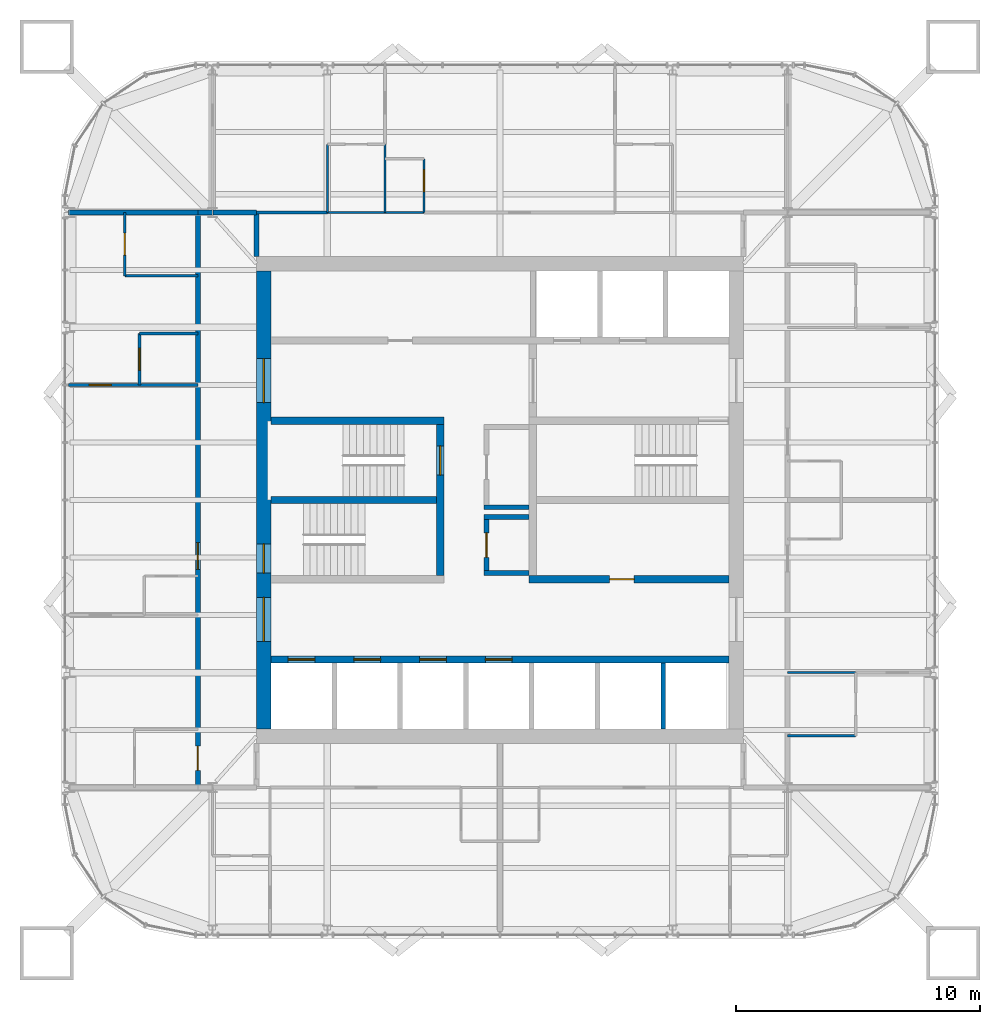
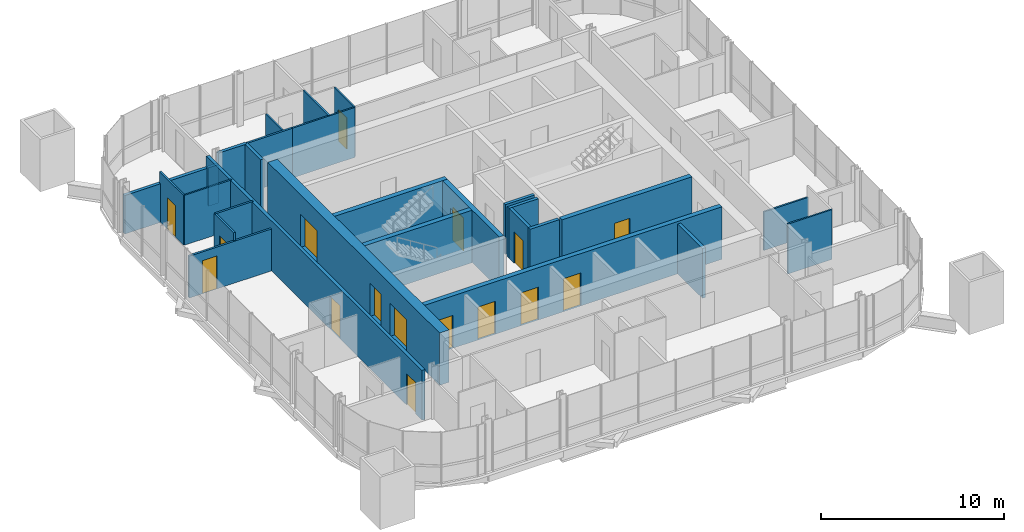
# One storey, part 14 of 17: 28 walls, 16 doors, 16 openings.
"""IFC4 building model written with IfcOpenShell, lengths in metres."""

import ifcopenshell
import ifcopenshell.guid

model = None  # the IFC model being written
_history = None  # IfcOwnerHistory: only IFC2X3 demands one
_inside = {}  # id of a spatial element -> (the spatial element, [elements in it])
_under = {}  # id of a project, library or spatial element -> (it, [spatial elements below it])
_declared = {}  # id of a project -> (the project, [libraries it declares])
_typed = {}  # id of a type object -> (the type object, [elements of that type])
_made_of = {}  # id of a material, layer set ... -> (it, [elements and type objects made of it])


def new_model(schema):
    """Start an empty IFC model of exactly this schema.

    Asked for "IFC4X3", IfcOpenShell would pick the latest addendum, in which some entities
    have other attributes; the version numbers below select the first issue.
    IFC2X3 requires an IfcOwnerHistory on every rooted entity: one is made here for all.
    """
    global model, _history
    if schema == "IFC4X3":
        model = ifcopenshell.file(schema_version=(4, 3, 0, 0))
    else:
        model = ifcopenshell.file(schema=schema)
    _inside.clear()
    _under.clear()
    _declared.clear()
    _typed.clear()
    _made_of.clear()
    _history = None
    if model.schema == "IFC2X3":
        org = make("IfcOrganization", Name="unknown")
        user = make(
            "IfcPersonAndOrganization",
            ThePerson=make("IfcPerson", FamilyName="unknown"),
            TheOrganization=org,
        )
        app = make(
            "IfcApplication",
            ApplicationDeveloper=org,
            Version="unknown",
            ApplicationFullName="unknown",
            ApplicationIdentifier="unknown",
        )
        _history = make(
            "IfcOwnerHistory",
            OwningUser=user,
            OwningApplication=app,
            ChangeAction="ADDED",
            CreationDate=0,
        )
    return model


def make(cls, **values):
    """One entity of the class cls with the attributes given. An attribute that is None is left unset."""
    return model.create_entity(
        cls, **{name: value for name, value in values.items() if value is not None}
    )


def rooted(cls, **values):
    """An entity with a GlobalId (a new one), such as an element, a storey or a relation."""
    return make(cls, GlobalId=ifcopenshell.guid.new(), OwnerHistory=_history, **values)


def si_unit(unit_type, name, prefix=None):
    """IfcSIUnit, for example si_unit("LENGTHUNIT", "METRE", prefix="MILLI")."""
    return make("IfcSIUnit", UnitType=unit_type, Prefix=prefix, Name=name)


def assignment(units):
    """IfcUnitAssignment: the units of a project."""
    return None if units is None else make("IfcUnitAssignment", Units=units)


def point(xyz):
    """IfcCartesianPoint."""
    return None if xyz is None else make("IfcCartesianPoint", Coordinates=xyz)


def direction(xyz):
    """IfcDirection."""
    return None if xyz is None else make("IfcDirection", DirectionRatios=xyz)


def frame(location, z_axis=None, x_axis=None):
    """IfcAxis2Placement3D, a coordinate frame: its origin and axes. An axis left out is left unset."""
    return make(
        "IfcAxis2Placement3D",
        Location=point(location),
        Axis=direction(z_axis),
        RefDirection=direction(x_axis),
    )


def frame_2d(location, x_axis=None):
    """IfcAxis2Placement2D, a coordinate frame in the plane: its origin and x axis."""
    return make(
        "IfcAxis2Placement2D", Location=point(location), RefDirection=direction(x_axis)
    )


def origin():
    """The frame at (0, 0, 0) with its axes left unset."""
    return frame((0.0, 0.0, 0.0))


def place(relative_to, where):
    """IfcLocalPlacement: puts the frame where relative to a parent placement (None: the world)."""
    return make(
        "IfcLocalPlacement", PlacementRelTo=relative_to, RelativePlacement=where
    )


def context(
    kind, dimensions, precision=None, world=None, true_north=None, identifier=None
):
    """IfcGeometricRepresentationContext, for example the 3D "Model" context."""
    return make(
        "IfcGeometricRepresentationContext",
        ContextIdentifier=identifier,
        ContextType=kind,
        CoordinateSpaceDimension=dimensions,
        Precision=precision,
        WorldCoordinateSystem=world,
        TrueNorth=true_north,
    )


def subcontext(parent, identifier, kind, view, scale=None):
    """IfcGeometricRepresentationSubContext, for example "Body" below "Model"."""
    return make(
        "IfcGeometricRepresentationSubContext",
        ContextIdentifier=identifier,
        ContextType=kind,
        ParentContext=parent,
        TargetScale=scale,
        TargetView=view,
    )


def project(units=None, contexts=None):
    """IfcProject with its units and contexts."""
    return rooted(
        "IfcProject",
        Name="project",
        RepresentationContexts=contexts,
        UnitsInContext=assignment(units),
    )


def spatial(cls, under=None, at=None, **own):
    """A site, building, storey or space (cls), placed at a placement, below another one or the project."""
    s = rooted(cls, ObjectPlacement=at, **own)
    if under is not None:
        _under.setdefault(under.id(), (under, []))[1].append(s)
    return s


def profile(cls, at=None, kind="AREA", **sizes):
    """A parametric profile (cls). Its sizes go by their IFC names, for example OverallWidth=200.0."""
    return make(cls, ProfileType=kind, Position=at, **sizes)


def rectangle(**sizes):
    """IfcRectangleProfileDef."""
    return profile("IfcRectangleProfileDef", **sizes)


def extrude(swept, where, along, depth):
    """IfcExtrudedAreaSolid: the profile swept, set in the frame where, extruded along a direction by depth."""
    return make(
        "IfcExtrudedAreaSolid",
        SweptArea=swept,
        Position=where,
        ExtrudedDirection=direction(along),
        Depth=depth,
    )


def shape(context_of_items, identifier, shape_type, items):
    """IfcShapeRepresentation: the items that make up one representation, for example the "Body"."""
    return make(
        "IfcShapeRepresentation",
        ContextOfItems=context_of_items,
        RepresentationIdentifier=identifier,
        RepresentationType=shape_type,
        Items=items,
    )


def material(Name=None, Category=None):
    """IfcMaterial."""
    return make("IfcMaterial", Name=Name, Category=Category)


def layer(
    of_material, thickness, ventilated=None, Name=None, Category=None, Priority=None
):
    """IfcMaterialLayer: one layer of a wall or slab, of a material (None: an air gap)."""
    return make(
        "IfcMaterialLayer",
        Material=of_material,
        LayerThickness=thickness,
        IsVentilated=ventilated,
        Name=Name,
        Category=Category,
        Priority=Priority,
    )


def layer_set(layers, Name=None):
    """IfcMaterialLayerSet."""
    return make("IfcMaterialLayerSet", MaterialLayers=layers, LayerSetName=Name)


def made_of(thing, what):
    """Note that an element or type object is made of a material, layer set ...; save() writes the relation."""
    if what is not None:
        _made_of.setdefault(what.id(), (what, []))[1].append(thing)
    return thing


def type_object(cls, material=None, **own):
    """A type object (cls), such as IfcWallType, which elements share."""
    return made_of(rooted(cls, **own), material)


def element(
    cls,
    number,
    at=None,
    inside=None,
    cuts=None,
    type_object=None,
    material=None,
    context=None,
    identifier="Body",
    shape_type=None,
    held_by="IfcProductDefinitionShape",
    body=None,
    shapes=None,
    **own,
):
    """One element of the class cls, such as IfcWall. Its Tag is "e" and its number.

    at: its placement. inside: the storey or other place that contains it. cuts: it is an
    opening in that element (IfcRelVoidsElement). A single representation is given by context,
    identifier, shape_type and body (its items); several are given by shapes. held_by: the class
    of the entity that holds the representations. save() writes the other relations.
    """
    e = rooted(cls, Tag="e%d" % number, ObjectPlacement=at, **own)
    if body is not None:
        shapes = [shape(context, identifier, shape_type, body)]
    if shapes is not None:
        e.Representation = make(held_by, Representations=shapes)
    if inside is not None:
        _inside.setdefault(inside.id(), (inside, []))[1].append(e)
    if cuts is not None:
        rooted(
            "IfcRelVoidsElement", RelatingBuildingElement=cuts, RelatedOpeningElement=e
        )
    if type_object is not None:
        _typed.setdefault(type_object.id(), (type_object, []))[1].append(e)
    return made_of(e, material)


def fill(opening, filler):
    """IfcRelFillsElement: the door or window that sits in an opening."""
    return rooted(
        "IfcRelFillsElement",
        RelatingOpeningElement=opening,
        RelatedBuildingElement=filler,
    )


def aggregate(whole, parts):
    """IfcRelAggregates: a whole, such as a stair, and the parts it consists of."""
    return rooted("IfcRelAggregates", RelatingObject=whole, RelatedObjects=parts)


def save(model, path):
    """Write the relations noted so far, then the file.

    IfcRelAggregates (storeys below a building ...), IfcRelContainedInSpatialStructure (elements
    in a storey), IfcRelDefinesByType, IfcRelAssociatesMaterial and IfcRelDeclares: one each for
    every whole, place, type object, material and project.
    """
    for whole, parts in _under.values():
        aggregate(whole, parts)
    for where, things in _inside.values():
        rooted(
            "IfcRelContainedInSpatialStructure",
            RelatedElements=things,
            RelatingStructure=where,
        )
    for kind, things in _typed.values():
        rooted("IfcRelDefinesByType", RelatedObjects=things, RelatingType=kind)
    for what, things in _made_of.values():
        rooted("IfcRelAssociatesMaterial", RelatedObjects=things, RelatingMaterial=what)
    for by, libraries in _declared.values():
        rooted("IfcRelDeclares", RelatingContext=by, RelatedDefinitions=libraries)
    model.write(path)


model = new_model("IFC4")

# Units and contexts
model_context = context("Model", 3, precision=1e-05, world=origin(), true_north=direction((0.0, 1.0)))
body_context = subcontext(model_context, "Body", "Model", "MODEL_VIEW")
ifc_project = project(units=[si_unit("LENGTHUNIT", "METRE"), si_unit("AREAUNIT", "SQUARE_METRE"), si_unit("VOLUMEUNIT", "CUBIC_METRE"), si_unit("PLANEANGLEUNIT", "RADIAN"), si_unit("MASSUNIT", "GRAM", prefix="KILO")], contexts=[model_context])

# Site, building, storey
site_placement = place(None, origin())
site = spatial("IfcSite", under=ifc_project, at=site_placement, CompositionType="ELEMENT")
building_placement = place(site_placement, origin())
building = spatial("IfcBuilding", under=site, at=building_placement, Name="Turquesa Mirador Hotel Tower", CompositionType="ELEMENT")
storey_placement = place(building_placement, frame((0.0, 0.0, 244.199951171875)))
storey = spatial("IfcBuildingStorey", under=building, at=storey_placement, Name="L66", CompositionType="ELEMENT", Elevation=244.199951171875)

# Walls
ifc_material_1 = material(Name="Gypsum board on steel studs", Category="steel")
ifc_layer_1 = layer(ifc_material_1, 0.10009765625)
ifc_layer_set_1 = layer_set([ifc_layer_1], Name="BATHROOM WALL 100")
wall_type_1 = type_object("IfcWallType", Name="BATHROOM WALL 100", PredefinedType="PARTITIONING", material=ifc_layer_set_1)
wall_1_placement = place(storey_placement, frame((66.800048828125, 37.919921875, 0.0), z_axis=(0.0, 0.0, 1.0), x_axis=(1.0, 0.0, 0.0)))
element("IfcWall", 1, at=wall_1_placement, inside=storey, type_object=wall_type_1, Name="Partition L66 017", PredefinedType="PARTITIONING", context=body_context, shape_type="SweptSolid", body=[
    extrude(rectangle(XDim=2.800048828125, YDim=0.10009765625, at=frame_2d((1.39990234375, 0.0))), origin(), (0.0, 0.0, 1.0), 2.5732421875),
])
wall_2_placement = place(storey_placement, frame((66.800048828125, 35.320068359375, 0.0), z_axis=(0.0, 0.0, 1.0), x_axis=(1.0, 0.0, 0.0)))
element("IfcWall", 2, at=wall_2_placement, inside=storey, type_object=wall_type_1, Name="Partition L66 020", PredefinedType="PARTITIONING", context=body_context, shape_type="SweptSolid", body=[
    extrude(rectangle(XDim=2.800048828125, YDim=0.10009765625, at=frame_2d((1.39990234375, 0.0))), origin(), (0.0, 0.0, 1.0), 3.330078125),
])
wall_3_placement = place(storey_placement, frame((47.919921875, 56.800048828125, 0.0), z_axis=(0.0, 0.0, 1.0), x_axis=(1.0, 0.0, 0.0)))
element("IfcWall", 3, at=wall_3_placement, inside=storey, type_object=wall_type_1, Name="Partition L66 023", PredefinedType="PARTITIONING", context=body_context, shape_type="SweptSolid", body=[
    extrude(rectangle(XDim=3.9599609375, YDim=0.10009765625, at=frame_2d((1.97998046875, 0.0))), origin(), (0.0, 0.0, 1.0), 3.330078125),
])
wall_4_placement = place(storey_placement, frame((39.60009765625, 54.199951171875, 0.0), z_axis=(0.0, 0.0, 1.0), x_axis=(1.0, 0.0, 0.0)))
element("IfcWall", 4, at=wall_4_placement, inside=storey, type_object=wall_type_1, Name="Partition L66 039", PredefinedType="PARTITIONING", context=body_context, shape_type="SweptSolid", body=[
    extrude(rectangle(XDim=3.0, YDim=0.10009765625, at=frame_2d((1.5, 0.0))), origin(), (0.0, 0.0, 1.0), 3.330078125),
])

# Wall, opening, door
wall_5_placement = place(storey_placement, frame((39.60009765625, 54.199951171875, 0.0), z_axis=(0.0, 0.0, 1.0), x_axis=(0.0, 1.0, 0.0)))
wall_5 = element("IfcWall", 5, at=wall_5_placement, inside=storey, type_object=wall_type_1, Name="Partition L66 050", PredefinedType="PARTITIONING", context=body_context, shape_type="SweptSolid", body=[
    extrude(rectangle(XDim=2.60009765625, YDim=0.10009765625, at=frame_2d((1.300048828125, 0.0))), origin(), (0.0, 0.0, 1.0), 3.330078125),
])
opening_1_placement = place(wall_5_placement, frame((0.85009765625, 0.0, 0.0)))
opening_1 = element("IfcOpeningElement", 6, at=opening_1_placement, cuts=wall_5, Name="Opening D02", PredefinedType="OPENING", context=body_context, shape_type="SweptSolid", body=[
    extrude(rectangle(XDim=0.89990234375, YDim=2.10009765625, at=frame_2d((0.449951171875, 1.050048828125))), frame((0.0, 0.06005859375, 0.0), z_axis=(0.0, -1.0, 0.0), x_axis=(1.0, 0.0, 0.0)), (0.0, 0.0, 1.0), 0.1201171875),
])
ifc_material_2 = material(Name="Timber veneered door", Category="wood")
door_type_1 = type_object("IfcDoorType", Name="DOOR 900X2100 EN-SUITE", OperationType="SINGLE_SWING_RIGHT", PredefinedType="DOOR", material=ifc_material_2)
door_1_placement = place(opening_1_placement, origin())
door_1 = element("IfcDoor", 7, at=door_1_placement, inside=storey, type_object=door_type_1, Name="Door 6606B", OperationType="SINGLE_SWING_RIGHT", OverallHeight=2.10009765625, OverallWidth=0.89990234375, PredefinedType="DOOR", context=body_context, shape_type="SweptSolid", body=[
    extrude(rectangle(XDim=0.89990234375, YDim=2.10009765625, at=frame_2d((0.449951171875, 1.050048828125))), frame((0.0, 0.02490234375, 0.0), z_axis=(0.0, -1.0, 0.0), x_axis=(1.0, 0.0, 0.0)), (0.0, 0.0, 1.0), 0.050048828125),
])
fill(opening_1, door_1)

wall_6_placement = place(storey_placement, frame((51.8798828125, 56.800048828125, 0.0), z_axis=(0.0, 0.0, 1.0), x_axis=(0.0, 1.0, 0.0)))
wall_6 = element("IfcWall", 8, at=wall_6_placement, inside=storey, type_object=wall_type_1, Name="Partition L66 051", PredefinedType="PARTITIONING", context=body_context, shape_type="SweptSolid", body=[
    extrude(rectangle(XDim=2.199951171875, YDim=0.10009765625, at=frame_2d((1.10009765625, 0.0))), origin(), (0.0, 0.0, 1.0), 3.330078125),
])
opening_2_placement = place(wall_6_placement, frame((0.85009765625, 0.0, 0.0)))
opening_2 = element("IfcOpeningElement", 9, at=opening_2_placement, cuts=wall_6, Name="Opening D06", PredefinedType="OPENING", context=body_context, shape_type="SweptSolid", body=[
    extrude(rectangle(XDim=0.89990234375, YDim=2.10009765625, at=frame_2d((0.449951171875, 1.050048828125))), frame((0.0, 0.06005859375, 0.0), z_axis=(0.0, -1.0, 0.0), x_axis=(1.0, 0.0, 0.0)), (0.0, 0.0, 1.0), 0.1201171875),
])
ifc_material_3 = material(Name="Laminate door", Category="wood")
door_type_2 = type_object("IfcDoorType", Name="DOOR 900X2100 WC", OperationType="SINGLE_SWING_LEFT", PredefinedType="DOOR", material=ifc_material_3)
door_2_placement = place(opening_2_placement, origin())
door_2 = element("IfcDoor", 10, at=door_2_placement, inside=storey, type_object=door_type_2, Name="Door 6601W", OperationType="SINGLE_SWING_LEFT", OverallHeight=2.10009765625, OverallWidth=0.89990234375, PredefinedType="DOOR", context=body_context, shape_type="SweptSolid", body=[
    extrude(rectangle(XDim=0.89990234375, YDim=2.10009765625, at=frame_2d((0.449951171875, 1.050048828125))), frame((0.0, 0.02490234375, 0.0), z_axis=(0.0, -1.0, 0.0), x_axis=(1.0, 0.0, 0.0)), (0.0, 0.0, 1.0), 0.050048828125),
])
fill(opening_2, door_2)

# Walls
wall_7_placement = place(storey_placement, frame((50.280029296875, 56.800048828125, 0.0), z_axis=(0.0, 0.0, 1.0), x_axis=(0.0, 1.0, 0.0)))
element("IfcWall", 11, at=wall_7_placement, inside=storey, type_object=wall_type_1, Name="Partition L66 052", PredefinedType="PARTITIONING", context=body_context, shape_type="SweptSolid", body=[
    extrude(rectangle(XDim=2.800048828125, YDim=0.10009765625, at=frame_2d((1.39990234375, 0.0))), origin(), (0.0, 0.0, 1.0), 3.330078125),
])
wall_8_placement = place(storey_placement, frame((47.919921875, 56.800048828125, 0.0), z_axis=(0.0, 0.0, 1.0), x_axis=(0.0, 1.0, 0.0)))
element("IfcWall", 12, at=wall_8_placement, inside=storey, type_object=wall_type_1, Name="Partition L66 054", PredefinedType="PARTITIONING", context=body_context, shape_type="SweptSolid", body=[
    extrude(rectangle(XDim=2.800048828125, YDim=0.10009765625, at=frame_2d((1.39990234375, 0.0))), origin(), (0.0, 0.0, 1.0), 2.5732421875),
])

# Wall, openings, doors
ifc_material_4 = material(Name="Concrete C50/60", Category="concrete")
ifc_layer_2 = layer(ifc_material_4, 0.300048828125)
ifc_layer_set_2 = layer_set([ifc_layer_2], Name="CORE INNER WALL 300")
wall_type_2 = type_object("IfcWallType", Name="CORE INNER WALL 300", PredefinedType="SHEAR", material=ifc_layer_set_2)
wall_9_placement = place(storey_placement, frame((45.60009765625, 38.449951171875, 0.0), z_axis=(0.0, 0.0, 1.0), x_axis=(1.0, 0.0, 0.0)))
wall_9 = element("IfcWall", 13, at=wall_9_placement, inside=storey, type_object=wall_type_2, Name="Core wall SL", PredefinedType="SHEAR", context=body_context, shape_type="SweptSolid", body=[
    extrude(rectangle(XDim=18.7998046875, YDim=0.300048828125, at=frame_2d((9.39990234375, 0.0))), origin(), (0.0, 0.0, 1.0), 3.5),
])
opening_3_placement = place(wall_9_placement, frame((0.699951171875, 0.0, 0.0)))
opening_3 = element("IfcOpeningElement", 14, at=opening_3_placement, cuts=wall_9, Name="Opening LD", PredefinedType="OPENING", context=body_context, shape_type="SweptSolid", body=[
    extrude(rectangle(XDim=1.10009765625, YDim=2.199951171875, at=frame_2d((0.550048828125, 1.10009765625))), frame((0.0, 0.159912109375, 0.0), z_axis=(0.0, -1.0, 0.0), x_axis=(1.0, 0.0, 0.0)), (0.0, 0.0, 1.0), 0.320068359375),
])
opening_4_placement = place(wall_9_placement, frame((3.39990234375, 0.0, 0.0)))
opening_4 = element("IfcOpeningElement", 15, at=opening_4_placement, cuts=wall_9, Name="Opening LD", PredefinedType="OPENING", context=body_context, shape_type="SweptSolid", body=[
    extrude(rectangle(XDim=1.10009765625, YDim=2.199951171875, at=frame_2d((0.550048828125, 1.10009765625))), frame((0.0, 0.159912109375, 0.0), z_axis=(0.0, -1.0, 0.0), x_axis=(1.0, 0.0, 0.0)), (0.0, 0.0, 1.0), 0.320068359375),
])
opening_5_placement = place(wall_9_placement, frame((6.10009765625, 0.0, 0.0)))
opening_5 = element("IfcOpeningElement", 16, at=opening_5_placement, cuts=wall_9, Name="Opening LD", PredefinedType="OPENING", context=body_context, shape_type="SweptSolid", body=[
    extrude(rectangle(XDim=1.10009765625, YDim=2.199951171875, at=frame_2d((0.550048828125, 1.10009765625))), frame((0.0, 0.159912109375, 0.0), z_axis=(0.0, -1.0, 0.0), x_axis=(1.0, 0.0, 0.0)), (0.0, 0.0, 1.0), 0.320068359375),
])
opening_6_placement = place(wall_9_placement, frame((8.800048828125, 0.0, 0.0)))
opening_6 = element("IfcOpeningElement", 17, at=opening_6_placement, cuts=wall_9, Name="Opening LD", PredefinedType="OPENING", context=body_context, shape_type="SweptSolid", body=[
    extrude(rectangle(XDim=1.10009765625, YDim=2.199951171875, at=frame_2d((0.550048828125, 1.10009765625))), frame((0.0, 0.159912109375, 0.0), z_axis=(0.0, -1.0, 0.0), x_axis=(1.0, 0.0, 0.0)), (0.0, 0.0, 1.0), 0.320068359375),
])
ifc_material_5 = material(Name="Stainless steel lift landing door", Category="steel")
door_type_3 = type_object("IfcDoorType", Name="LIFT LANDING DOOR 1100X2200", OperationType="SLIDING_TO_LEFT", PredefinedType="DOOR", material=ifc_material_5)
door_3_placement = place(opening_3_placement, origin())
door_3 = element("IfcDoor", 18, at=door_3_placement, inside=storey, type_object=door_type_3, Name="Lift B1 landing door", OperationType="SLIDING_TO_LEFT", OverallHeight=2.199951171875, OverallWidth=1.10009765625, PredefinedType="DOOR", context=body_context, shape_type="SweptSolid", body=[
    extrude(rectangle(XDim=1.10009765625, YDim=2.199951171875, at=frame_2d((0.550048828125, 1.10009765625))), frame((0.0, 0.02490234375, 0.0), z_axis=(0.0, -1.0, 0.0), x_axis=(1.0, 0.0, 0.0)), (0.0, 0.0, 1.0), 0.050048828125),
])
fill(opening_3, door_3)
door_4_placement = place(opening_4_placement, origin())
door_4 = element("IfcDoor", 19, at=door_4_placement, inside=storey, type_object=door_type_3, Name="Lift B2 landing door", OperationType="SLIDING_TO_LEFT", OverallHeight=2.199951171875, OverallWidth=1.10009765625, PredefinedType="DOOR", context=body_context, shape_type="SweptSolid", body=[
    extrude(rectangle(XDim=1.10009765625, YDim=2.199951171875, at=frame_2d((0.550048828125, 1.10009765625))), frame((0.0, 0.02490234375, 0.0), z_axis=(0.0, -1.0, 0.0), x_axis=(1.0, 0.0, 0.0)), (0.0, 0.0, 1.0), 0.050048828125),
])
fill(opening_4, door_4)
door_5_placement = place(opening_5_placement, origin())
door_5 = element("IfcDoor", 20, at=door_5_placement, inside=storey, type_object=door_type_3, Name="Lift B3 landing door", OperationType="SLIDING_TO_LEFT", OverallHeight=2.199951171875, OverallWidth=1.10009765625, PredefinedType="DOOR", context=body_context, shape_type="SweptSolid", body=[
    extrude(rectangle(XDim=1.10009765625, YDim=2.199951171875, at=frame_2d((0.550048828125, 1.10009765625))), frame((0.0, 0.02490234375, 0.0), z_axis=(0.0, -1.0, 0.0), x_axis=(1.0, 0.0, 0.0)), (0.0, 0.0, 1.0), 0.050048828125),
])
fill(opening_5, door_5)
door_6_placement = place(opening_6_placement, origin())
door_6 = element("IfcDoor", 21, at=door_6_placement, inside=storey, type_object=door_type_3, Name="Lift B4 landing door", OperationType="SLIDING_TO_LEFT", OverallHeight=2.199951171875, OverallWidth=1.10009765625, PredefinedType="DOOR", context=body_context, shape_type="SweptSolid", body=[
    extrude(rectangle(XDim=1.10009765625, YDim=2.199951171875, at=frame_2d((0.550048828125, 1.10009765625))), frame((0.0, 0.02490234375, 0.0), z_axis=(0.0, -1.0, 0.0), x_axis=(1.0, 0.0, 0.0)), (0.0, 0.0, 1.0), 0.050048828125),
])
fill(opening_6, door_6)

# Wall
wall_10_placement = place(storey_placement, frame((45.60009765625, 48.25, 0.0), z_axis=(0.0, 0.0, 1.0), x_axis=(1.0, 0.0, 0.0)))
element("IfcWall", 22, at=wall_10_placement, inside=storey, type_object=wall_type_2, Name="Core wall MN-W", PredefinedType="SHEAR", context=body_context, shape_type="SweptSolid", body=[
    extrude(rectangle(XDim=7.099853515625, YDim=0.300048828125, at=frame_2d((3.5498046875, 0.0))), origin(), (0.0, 0.0, 1.0), 3.5),
])

# Wall, opening, door
wall_11_placement = place(storey_placement, frame((56.199951171875, 41.75, 0.0), z_axis=(0.0, 0.0, 1.0), x_axis=(1.0, 0.0, 0.0)))
wall_11 = element("IfcWall", 23, at=wall_11_placement, inside=storey, type_object=wall_type_2, Name="Core wall MS-E", PredefinedType="SHEAR", context=body_context, shape_type="SweptSolid", body=[
    extrude(rectangle(XDim=8.199951171875, YDim=0.300048828125, at=frame_2d((4.10009765625, 0.0))), origin(), (0.0, 0.0, 1.0), 3.5),
])
opening_7_placement = place(wall_11_placement, frame((3.300048828125, 0.0, 0.0)))
opening_7 = element("IfcOpeningElement", 24, at=opening_7_placement, cuts=wall_11, Name="Opening D05", PredefinedType="OPENING", context=body_context, shape_type="SweptSolid", body=[
    extrude(rectangle(XDim=1.0, YDim=2.10009765625, at=frame_2d((0.5, 1.050048828125))), frame((0.0, 0.159912109375, 0.0), z_axis=(0.0, -1.0, 0.0), x_axis=(1.0, 0.0, 0.0)), (0.0, 0.0, 1.0), 0.320068359375),
])
ifc_material_6 = material(Name="Steel fire door", Category="steel")
door_type_4 = type_object("IfcDoorType", Name="DOOR 1000X2100 SERVICE", OperationType="SINGLE_SWING_LEFT", PredefinedType="DOOR", material=ifc_material_6)
door_7_placement = place(opening_7_placement, origin())
door_7 = element("IfcDoor", 25, at=door_7_placement, inside=storey, type_object=door_type_4, Name="Housekeeping room door", OperationType="SINGLE_SWING_LEFT", OverallHeight=2.10009765625, OverallWidth=1.0, PredefinedType="DOOR", context=body_context, shape_type="SweptSolid", body=[
    extrude(rectangle(XDim=1.0, YDim=2.10009765625, at=frame_2d((0.5, 1.050048828125))), frame((0.0, 0.02490234375, 0.0), z_axis=(0.0, -1.0, 0.0), x_axis=(1.0, 0.0, 0.0)), (0.0, 0.0, 1.0), 0.050048828125),
])
fill(opening_7, door_7)

wall_12_placement = place(storey_placement, frame((52.550048828125, 41.89990234375, 0.0), z_axis=(0.0, 0.0, 1.0), x_axis=(0.0, 1.0, 0.0)))
wall_12 = element("IfcWall", 26, at=wall_12_placement, inside=storey, type_object=wall_type_2, Name="Core wall PW", PredefinedType="SHEAR", context=body_context, shape_type="SweptSolid", body=[
    extrude(rectangle(XDim=6.2001953125, YDim=0.300048828125, at=frame_2d((3.10009765625, 0.0))), origin(), (0.0, 0.0, 1.0), 3.5),
])
opening_8_placement = place(wall_12_placement, frame((4.125, 0.0, 0.0)))
opening_8 = element("IfcOpeningElement", 27, at=opening_8_placement, cuts=wall_12, Name="Opening D03", PredefinedType="OPENING", context=body_context, shape_type="SweptSolid", body=[
    extrude(rectangle(XDim=1.199951171875, YDim=2.199951171875, at=frame_2d((0.60009765625, 1.10009765625))), frame((0.0, 0.159912109375, 0.0), z_axis=(0.0, -1.0, 0.0), x_axis=(1.0, 0.0, 0.0)), (0.0, 0.0, 1.0), 0.320068359375),
])
ifc_material_7 = material(Name="Steel fire door", Category="steel")
door_type_5 = type_object("IfcDoorType", Name="DOOR 1200X2200 STAIR", OperationType="SINGLE_SWING_LEFT", PredefinedType="DOOR", material=ifc_material_7)
door_8_placement = place(opening_8_placement, origin())
door_8 = element("IfcDoor", 28, at=door_8_placement, inside=storey, type_object=door_type_5, Name="Stair ST1 door", OperationType="SINGLE_SWING_LEFT", OverallHeight=2.199951171875, OverallWidth=1.199951171875, PredefinedType="DOOR", context=body_context, shape_type="SweptSolid", body=[
    extrude(rectangle(XDim=1.199951171875, YDim=2.199951171875, at=frame_2d((0.60009765625, 1.10009765625))), frame((0.0, 0.02490234375, 0.0), z_axis=(0.0, -1.0, 0.0), x_axis=(1.0, 0.0, 0.0)), (0.0, 0.0, 1.0), 0.050048828125),
])
fill(opening_8, door_8)

# Wall
wall_13_placement = place(storey_placement, frame((45.60009765625, 45.0, 0.0), z_axis=(0.0, 0.0, 1.0), x_axis=(1.0, 0.0, 0.0)))
element("IfcWall", 29, at=wall_13_placement, inside=storey, type_object=wall_type_2, Name="Core wall M0-W", PredefinedType="SHEAR", context=body_context, shape_type="SweptSolid", body=[
    extrude(rectangle(XDim=6.7998046875, YDim=0.300048828125, at=frame_2d((3.39990234375, 0.0))), origin(), (0.0, 0.0, 1.0), 3.5),
])

# Wall, openings, doors
ifc_material_8 = material(Name="Concrete C50/60", Category="concrete")
ifc_layer_3 = layer(ifc_material_8, 0.60009765625)
ifc_layer_set_3 = layer_set([ifc_layer_3], Name="CORE WALL 600")
wall_type_3 = type_object("IfcWallType", Name="CORE WALL 600", PredefinedType="SHEAR", material=ifc_layer_set_3)
wall_14_placement = place(storey_placement, frame((45.300048828125, 35.60009765625, 0.0), z_axis=(0.0, 0.0, 1.0), x_axis=(0.0, 1.0, 0.0)))
wall_14 = element("IfcWall", 30, at=wall_14_placement, inside=storey, type_object=wall_type_3, Name="Core wall W", PredefinedType="SHEAR", context=body_context, shape_type="SweptSolid", body=[
    extrude(rectangle(XDim=18.7998046875, YDim=0.60009765625, at=frame_2d((9.39990234375, 0.0))), origin(), (0.0, 0.0, 1.0), 3.5),
])
opening_9_placement = place(wall_14_placement, frame((13.39990234375, 0.0, 0.0)))
opening_9 = element("IfcOpeningElement", 31, at=opening_9_placement, cuts=wall_14, Name="Opening D04", PredefinedType="OPENING", context=body_context, shape_type="SweptSolid", body=[
    extrude(rectangle(XDim=1.800048828125, YDim=2.199951171875, at=frame_2d((0.89990234375, 1.10009765625))), frame((0.0, 0.31005859375, 0.0), z_axis=(0.0, -1.0, 0.0), x_axis=(1.0, 0.0, 0.0)), (0.0, 0.0, 1.0), 0.6201171875),
])
opening_10_placement = place(wall_14_placement, frame((3.60009765625, 0.0, 0.0)))
opening_10 = element("IfcOpeningElement", 32, at=opening_10_placement, cuts=wall_14, Name="Opening D04", PredefinedType="OPENING", context=body_context, shape_type="SweptSolid", body=[
    extrude(rectangle(XDim=1.800048828125, YDim=2.199951171875, at=frame_2d((0.89990234375, 1.10009765625))), frame((0.0, 0.31005859375, 0.0), z_axis=(0.0, -1.0, 0.0), x_axis=(1.0, 0.0, 0.0)), (0.0, 0.0, 1.0), 0.6201171875),
])
opening_11_placement = place(wall_14_placement, frame((6.39990234375, 0.0, 0.0)))
opening_11 = element("IfcOpeningElement", 33, at=opening_11_placement, cuts=wall_14, Name="Opening D03", PredefinedType="OPENING", context=body_context, shape_type="SweptSolid", body=[
    extrude(rectangle(XDim=1.199951171875, YDim=2.199951171875, at=frame_2d((0.60009765625, 1.10009765625))), frame((0.0, 0.31005859375, 0.0), z_axis=(0.0, -1.0, 0.0), x_axis=(1.0, 0.0, 0.0)), (0.0, 0.0, 1.0), 0.6201171875),
])
door_9_placement = place(opening_11_placement, origin())
door_9 = element("IfcDoor", 34, at=door_9_placement, inside=storey, type_object=door_type_5, Name="Stair ST2 door", OperationType="SINGLE_SWING_LEFT", OverallHeight=2.199951171875, OverallWidth=1.199951171875, PredefinedType="DOOR", context=body_context, shape_type="SweptSolid", body=[
    extrude(rectangle(XDim=1.199951171875, YDim=2.199951171875, at=frame_2d((0.60009765625, 1.10009765625))), frame((0.0, 0.02490234375, 0.0), z_axis=(0.0, -1.0, 0.0), x_axis=(1.0, 0.0, 0.0)), (0.0, 0.0, 1.0), 0.050048828125),
])
fill(opening_11, door_9)
ifc_material_9 = material(Name="Steel fire door pair", Category="steel")
door_type_6 = type_object("IfcDoorType", Name="DOOR 1800X2200 PAIR", OperationType="DOUBLE_DOOR_SINGLE_SWING", PredefinedType="DOOR", material=ifc_material_9)
door_10_placement = place(opening_9_placement, origin())
door_10 = element("IfcDoor", 35, at=door_10_placement, inside=storey, type_object=door_type_6, Name="North lift lobby door", OperationType="DOUBLE_DOOR_SINGLE_SWING", OverallHeight=2.199951171875, OverallWidth=1.800048828125, PredefinedType="DOOR", context=body_context, shape_type="SweptSolid", body=[
    extrude(rectangle(XDim=1.800048828125, YDim=2.199951171875, at=frame_2d((0.89990234375, 1.10009765625))), frame((0.0, 0.02490234375, 0.0), z_axis=(0.0, -1.0, 0.0), x_axis=(1.0, 0.0, 0.0)), (0.0, 0.0, 1.0), 0.050048828125),
])
fill(opening_9, door_10)
door_11_placement = place(opening_10_placement, origin())
door_11 = element("IfcDoor", 36, at=door_11_placement, inside=storey, type_object=door_type_6, Name="South lift lobby door", OperationType="DOUBLE_DOOR_SINGLE_SWING", OverallHeight=2.199951171875, OverallWidth=1.800048828125, PredefinedType="DOOR", context=body_context, shape_type="SweptSolid", body=[
    extrude(rectangle(XDim=1.800048828125, YDim=2.199951171875, at=frame_2d((0.89990234375, 1.10009765625))), frame((0.0, 0.02490234375, 0.0), z_axis=(0.0, -1.0, 0.0), x_axis=(1.0, 0.0, 0.0)), (0.0, 0.0, 1.0), 0.050048828125),
])
fill(opening_10, door_11)

# Walls
ifc_material_10 = material(Name="Fire-rated gypsum board on steel studs", Category="steel")
ifc_layer_4 = layer(ifc_material_10, 0.199951171875)
ifc_layer_set_4 = layer_set([ifc_layer_4], Name="CORRIDOR WALL 200")
wall_type_4 = type_object("IfcWallType", Name="CORRIDOR WALL 200", PredefinedType="PARTITIONING", material=ifc_layer_set_4)
wall_15_placement = place(storey_placement, frame((43.219970703125, 56.800048828125, 0.0), z_axis=(0.0, 0.0, 1.0), x_axis=(1.0, 0.0, 0.0)))
element("IfcWall", 37, at=wall_15_placement, inside=storey, type_object=wall_type_4, Name="Partition L66 025", PredefinedType="PARTITIONING", context=body_context, shape_type="SweptSolid", body=[
    extrude(rectangle(XDim=1.780029296875, YDim=0.199951171875, at=frame_2d((0.89013671875, 0.0))), origin(), (0.0, 0.0, 1.0), 3.330078125),
])
wall_16_placement = place(storey_placement, frame((45.0, 55.0, 0.0), z_axis=(0.0, 0.0, 1.0), x_axis=(0.0, 1.0, 0.0)))
element("IfcWall", 38, at=wall_16_placement, inside=storey, type_object=wall_type_4, Name="Partition L66 043", PredefinedType="PARTITIONING", context=body_context, shape_type="SweptSolid", body=[
    extrude(rectangle(XDim=1.800048828125, YDim=0.199951171875, at=frame_2d((0.89990234375, 0.0))), origin(), (0.0, 0.0, 1.0), 3.330078125),
])

# Wall, openings, doors
wall_17_placement = place(storey_placement, frame((42.60009765625, 33.199951171875, 0.0), z_axis=(0.0, 0.0, 1.0), x_axis=(0.0, 1.0, 0.0)))
wall_17 = element("IfcWall", 39, at=wall_17_placement, inside=storey, type_object=wall_type_4, Name="Partition L66 046", PredefinedType="PARTITIONING", context=body_context, shape_type="SweptSolid", body=[
    extrude(rectangle(XDim=23.60009765625, YDim=0.199951171875, at=frame_2d((11.800048828125, 0.0))), origin(), (0.0, 0.0, 1.0), 3.330078125),
])
opening_12_placement = place(wall_17_placement, frame((8.949951171875, 0.0, 0.0)))
opening_12 = element("IfcOpeningElement", 40, at=opening_12_placement, cuts=wall_17, Name="Opening D15", PredefinedType="OPENING", context=body_context, shape_type="SweptSolid", body=[
    extrude(rectangle(XDim=1.10009765625, YDim=2.199951171875, at=frame_2d((0.550048828125, 1.10009765625))), frame((0.0, 0.10986328125, 0.0), z_axis=(0.0, -1.0, 0.0), x_axis=(1.0, 0.0, 0.0)), (0.0, 0.0, 1.0), 0.219970703125),
])
opening_13_placement = place(wall_17_placement, frame((0.699951171875, 0.0, 0.0)))
opening_13 = element("IfcOpeningElement", 41, at=opening_13_placement, cuts=wall_17, Name="Opening D05", PredefinedType="OPENING", context=body_context, shape_type="SweptSolid", body=[
    extrude(rectangle(XDim=1.0, YDim=2.10009765625, at=frame_2d((0.5, 1.050048828125))), frame((0.0, 0.10986328125, 0.0), z_axis=(0.0, -1.0, 0.0), x_axis=(1.0, 0.0, 0.0)), (0.0, 0.0, 1.0), 0.219970703125),
])
door_12_placement = place(opening_13_placement, origin())
door_12 = element("IfcDoor", 42, at=door_12_placement, inside=storey, type_object=door_type_4, Name="Door 6606P-1", OperationType="SINGLE_SWING_LEFT", OverallHeight=2.10009765625, OverallWidth=1.0, PredefinedType="DOOR", context=body_context, shape_type="SweptSolid", body=[
    extrude(rectangle(XDim=1.0, YDim=2.10009765625, at=frame_2d((0.5, 1.050048828125))), frame((0.0, 0.02490234375, 0.0), z_axis=(0.0, -1.0, 0.0), x_axis=(1.0, 0.0, 0.0)), (0.0, 0.0, 1.0), 0.050048828125),
])
fill(opening_13, door_12)
ifc_material_11 = material(Name="Timber veneered fire door", Category="wood")
door_type_7 = type_object("IfcDoorType", Name="DOOR 1100X2200 SUITE ENTRY", OperationType="SINGLE_SWING_LEFT", PredefinedType="DOOR", material=ifc_material_11)
door_13_placement = place(opening_12_placement, origin())
door_13 = element("IfcDoor", 43, at=door_13_placement, inside=storey, type_object=door_type_7, Name="Door 6606", OperationType="SINGLE_SWING_LEFT", OverallHeight=2.199951171875, OverallWidth=1.10009765625, PredefinedType="DOOR", context=body_context, shape_type="SweptSolid", body=[
    extrude(rectangle(XDim=1.10009765625, YDim=2.199951171875, at=frame_2d((0.550048828125, 1.10009765625))), frame((0.0, 0.02490234375, 0.0), z_axis=(0.0, -1.0, 0.0), x_axis=(1.0, 0.0, 0.0)), (0.0, 0.0, 1.0), 0.050048828125),
])
fill(opening_12, door_13)

# Wall
wall_18_placement = place(storey_placement, frame((42.60009765625, 56.800048828125, 0.0), z_axis=(0.0, 0.0, 1.0), x_axis=(1.0, 0.0, 0.0)))
element("IfcWall", 44, at=wall_18_placement, inside=storey, type_object=wall_type_4, Name="Partition L66 073", PredefinedType="PARTITIONING", context=body_context, shape_type="SweptSolid", body=[
    extrude(rectangle(XDim=0.619873046875, YDim=0.199951171875, at=frame_2d((0.31005859375, 0.0))), origin(), (0.0, 0.0, 1.0), 2.5732421875),
])

# Wall, opening, door
ifc_material_12 = material(Name="Fire-rated gypsum board on steel studs", Category="steel")
ifc_layer_5 = layer(ifc_material_12, 0.199951171875)
ifc_layer_set_5 = layer_set([ifc_layer_5], Name="FIRE PARTITION 200")
wall_type_5 = type_object("IfcWallType", Name="FIRE PARTITION 200", PredefinedType="PARTITIONING", material=ifc_layer_set_5)
wall_19_placement = place(storey_placement, frame((54.449951171875, 42.0, 0.0), z_axis=(0.0, 0.0, 1.0), x_axis=(0.0, 1.0, 0.0)))
wall_19 = element("IfcWall", 45, at=wall_19_placement, inside=storey, type_object=wall_type_5, Name="Partition L66 BO W", PredefinedType="PARTITIONING", context=body_context, shape_type="SweptSolid", body=[
    extrude(rectangle(XDim=2.300048828125, YDim=0.199951171875, at=frame_2d((1.14990234375, 0.0))), origin(), (0.0, 0.0, 1.0), 3.330078125),
])
opening_14_placement = place(wall_19_placement, frame((0.64990234375, 0.0, 0.0)))
opening_14 = element("IfcOpeningElement", 46, at=opening_14_placement, cuts=wall_19, Name="Opening D05", PredefinedType="OPENING", context=body_context, shape_type="SweptSolid", body=[
    extrude(rectangle(XDim=1.0, YDim=2.10009765625, at=frame_2d((0.5, 1.050048828125))), frame((0.0, 0.10986328125, 0.0), z_axis=(0.0, -1.0, 0.0), x_axis=(1.0, 0.0, 0.0)), (0.0, 0.0, 1.0), 0.219970703125),
])
door_14_placement = place(opening_14_placement, origin())
door_14 = element("IfcDoor", 47, at=door_14_placement, inside=storey, type_object=door_type_4, Name="Butler's pantry door", OperationType="SINGLE_SWING_LEFT", OverallHeight=2.10009765625, OverallWidth=1.0, PredefinedType="DOOR", context=body_context, shape_type="SweptSolid", body=[
    extrude(rectangle(XDim=1.0, YDim=2.10009765625, at=frame_2d((0.5, 1.050048828125))), frame((0.0, 0.02490234375, 0.0), z_axis=(0.0, -1.0, 0.0), x_axis=(1.0, 0.0, 0.0)), (0.0, 0.0, 1.0), 0.050048828125),
])
fill(opening_14, door_14)

# Walls
for number, where, z_axis, x_axis, name in (
    (48, (54.35009765625, 42.0, 0.0), (0.0, 0.0, 1.0), (1.0, 0.0, 0.0), "Partition L66 BO S"),
    (49, (54.35009765625, 44.300048828125, 0.0), (0.0, 0.0, 1.0), (1.0, 0.0, 0.0), "Partition L66 BO N"),
    (50, (54.35009765625, 44.699951171875, 0.0), (0.0, 0.0, 1.0), (1.0, 0.0, 0.0), "Partition L66 VR S"),
):
    element("IfcWall", number, at=place(storey_placement, frame(where, z_axis=z_axis, x_axis=x_axis)), inside=storey, type_object=wall_type_5, Name=name, PredefinedType="PARTITIONING", context=body_context, shape_type="SweptSolid", body=[
        extrude(rectangle(XDim=1.849853515625, YDim=0.199951171875, at=frame_2d((0.9248046875, 0.0))), origin(), (0.0, 0.0, 1.0), 3.330078125),
    ])
ifc_material_13 = material(Name="Fire-rated gypsum shaft wall on steel studs", Category="steel")
ifc_layer_6 = layer(ifc_material_13, 0.199951171875)
ifc_layer_set_6 = layer_set([ifc_layer_6], Name="LIFT SHAFT DIVIDER 200")
wall_type_6 = type_object("IfcWallType", Name="LIFT SHAFT DIVIDER 200", PredefinedType="PARTITIONING", material=ifc_layer_set_6)
wall_20_placement = place(storey_placement, frame((61.699951171875, 35.60009765625, 0.0), z_axis=(0.0, 0.0, 1.0), x_axis=(0.0, 1.0, 0.0)))
element("IfcWall", 51, at=wall_20_placement, inside=storey, type_object=wall_type_6, Name="Lift shaft divider", PredefinedType="PARTITIONING", context=body_context, shape_type="SweptSolid", body=[
    extrude(rectangle(XDim=2.699951171875, YDim=0.199951171875, at=frame_2d((1.35009765625, 0.0))), origin(), (0.0, 0.0, 1.0), 3.330078125),
])
ifc_material_14 = material(Name="Fire-rated gypsum board on steel studs", Category="steel")
ifc_layer_7 = layer(ifc_material_14, 0.199951171875)
ifc_layer_set_7 = layer_set([ifc_layer_7], Name="PARTY WALL 200")
wall_type_7 = type_object("IfcWallType", Name="PARTY WALL 200", PredefinedType="PARTITIONING", material=ifc_layer_set_7)
wall_21_placement = place(storey_placement, frame((37.300048828125, 56.800048828125, 0.0), z_axis=(0.0, 0.0, 1.0), x_axis=(1.0, 0.0, 0.0)))
element("IfcWall", 52, at=wall_21_placement, inside=storey, type_object=wall_type_7, Name="Partition L66 027", PredefinedType="PARTITIONING", context=body_context, shape_type="SweptSolid", body=[
    extrude(rectangle(XDim=5.300048828125, YDim=0.199951171875, at=frame_2d((2.64990234375, 0.0))), origin(), (0.0, 0.0, 1.0), 2.5732421875),
])
ifc_material_15 = material(Name="Acoustic gypsum board on steel studs", Category="steel")
ifc_layer_8 = layer(ifc_material_15, 0.125)
ifc_layer_set_8 = layer_set([ifc_layer_8], Name="SUITE PARTITION 125")
wall_type_8 = type_object("IfcWallType", Name="SUITE PARTITION 125", PredefinedType="PARTITIONING", material=ifc_layer_set_8)
wall_22_placement = place(storey_placement, frame((45.0, 56.800048828125, 0.0), z_axis=(0.0, 0.0, 1.0), x_axis=(1.0, 0.0, 0.0)))
element("IfcWall", 53, at=wall_22_placement, inside=storey, type_object=wall_type_8, Name="Partition L66 029", PredefinedType="PARTITIONING", context=body_context, shape_type="SweptSolid", body=[
    extrude(rectangle(XDim=2.919921875, YDim=0.125, at=frame_2d((1.4599609375, 0.0))), origin(), (0.0, 0.0, 1.0), 3.330078125),
])

# Wall, opening, door
wall_23_placement = place(storey_placement, frame((37.300048828125, 49.719970703125, 0.0), z_axis=(0.0, 0.0, 1.0), x_axis=(1.0, 0.0, 0.0)))
wall_23 = element("IfcWall", 54, at=wall_23_placement, inside=storey, type_object=wall_type_8, Name="Partition L66 035", PredefinedType="PARTITIONING", context=body_context, shape_type="SweptSolid", body=[
    extrude(rectangle(XDim=5.300048828125, YDim=0.125, at=frame_2d((2.64990234375, 0.0))), origin(), (0.0, 0.0, 1.0), 2.796630859375),
])
opening_15_placement = place(wall_23_placement, frame((0.85009765625, 0.0, 0.0)))
opening_15 = element("IfcOpeningElement", 55, at=opening_15_placement, cuts=wall_23, Name="Opening D17", PredefinedType="OPENING", context=body_context, shape_type="SweptSolid", body=[
    extrude(rectangle(XDim=0.89990234375, YDim=2.199951171875, at=frame_2d((0.449951171875, 1.10009765625))), frame((0.0, 0.072509765625, 0.0), z_axis=(0.0, -1.0, 0.0), x_axis=(1.0, 0.0, 0.0)), (0.0, 0.0, 1.0), 0.14501953125),
])
ifc_material_16 = material(Name="Timber veneered door", Category="wood")
door_type_8 = type_object("IfcDoorType", Name="DOOR 900X2200 SUITE INTERNAL", OperationType="SINGLE_SWING_LEFT", PredefinedType="DOOR", material=ifc_material_16)
door_15_placement = place(opening_15_placement, origin())
door_15 = element("IfcDoor", 56, at=door_15_placement, inside=storey, type_object=door_type_8, Name="Door 6606R", OperationType="SINGLE_SWING_LEFT", OverallHeight=2.199951171875, OverallWidth=0.89990234375, PredefinedType="DOOR", context=body_context, shape_type="SweptSolid", body=[
    extrude(rectangle(XDim=0.89990234375, YDim=2.199951171875, at=frame_2d((0.449951171875, 1.10009765625))), frame((0.0, 0.02490234375, 0.0), z_axis=(0.0, -1.0, 0.0), x_axis=(1.0, 0.0, 0.0)), (0.0, 0.0, 1.0), 0.050048828125),
])
fill(opening_15, door_15)

# Wall
wall_24_placement = place(storey_placement, frame((40.199951171875, 51.840087890625, 0.0), z_axis=(0.0, 0.0, 1.0), x_axis=(1.0, 0.0, 0.0)))
element("IfcWall", 57, at=wall_24_placement, inside=storey, type_object=wall_type_8, Name="Partition L66 036", PredefinedType="PARTITIONING", context=body_context, shape_type="SweptSolid", body=[
    extrude(rectangle(XDim=2.400146484375, YDim=0.125, at=frame_2d((1.2001953125, 0.0))), origin(), (0.0, 0.0, 1.0), 3.330078125),
])

# Wall, opening, door
wall_25_placement = place(storey_placement, frame((40.199951171875, 49.719970703125, 0.0), z_axis=(0.0, 0.0, 1.0), x_axis=(0.0, 1.0, 0.0)))
wall_25 = element("IfcWall", 58, at=wall_25_placement, inside=storey, type_object=wall_type_8, Name="Partition L66 048", PredefinedType="PARTITIONING", context=body_context, shape_type="SweptSolid", body=[
    extrude(rectangle(XDim=2.1201171875, YDim=0.125, at=frame_2d((1.06005859375, 0.0))), origin(), (0.0, 0.0, 1.0), 3.330078125),
])
opening_16_placement = place(wall_25_placement, frame((0.610107421875, 0.0, 0.0)))
opening_16 = element("IfcOpeningElement", 59, at=opening_16_placement, cuts=wall_25, Name="Opening D17", PredefinedType="OPENING", context=body_context, shape_type="SweptSolid", body=[
    extrude(rectangle(XDim=0.89990234375, YDim=2.199951171875, at=frame_2d((0.449951171875, 1.10009765625))), frame((0.0, 0.072509765625, 0.0), z_axis=(0.0, -1.0, 0.0), x_axis=(1.0, 0.0, 0.0)), (0.0, 0.0, 1.0), 0.14501953125),
])
door_16_placement = place(opening_16_placement, origin())
door_16 = element("IfcDoor", 60, at=door_16_placement, inside=storey, type_object=door_type_8, Name="Door 6606D", OperationType="SINGLE_SWING_LEFT", OverallHeight=2.199951171875, OverallWidth=0.89990234375, PredefinedType="DOOR", context=body_context, shape_type="SweptSolid", body=[
    extrude(rectangle(XDim=0.89990234375, YDim=2.199951171875, at=frame_2d((0.449951171875, 1.10009765625))), frame((0.0, 0.02490234375, 0.0), z_axis=(0.0, -1.0, 0.0), x_axis=(1.0, 0.0, 0.0)), (0.0, 0.0, 1.0), 0.050048828125),
])
fill(opening_16, door_16)

save(model, "model.ifc")
